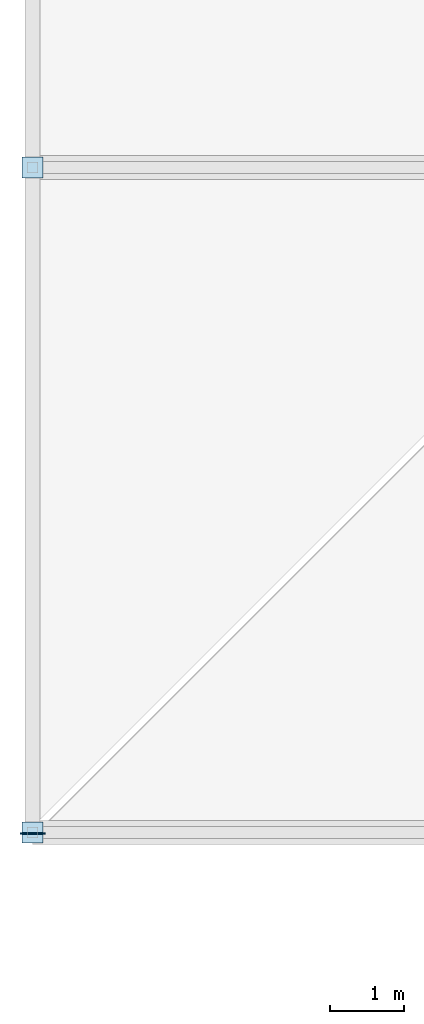
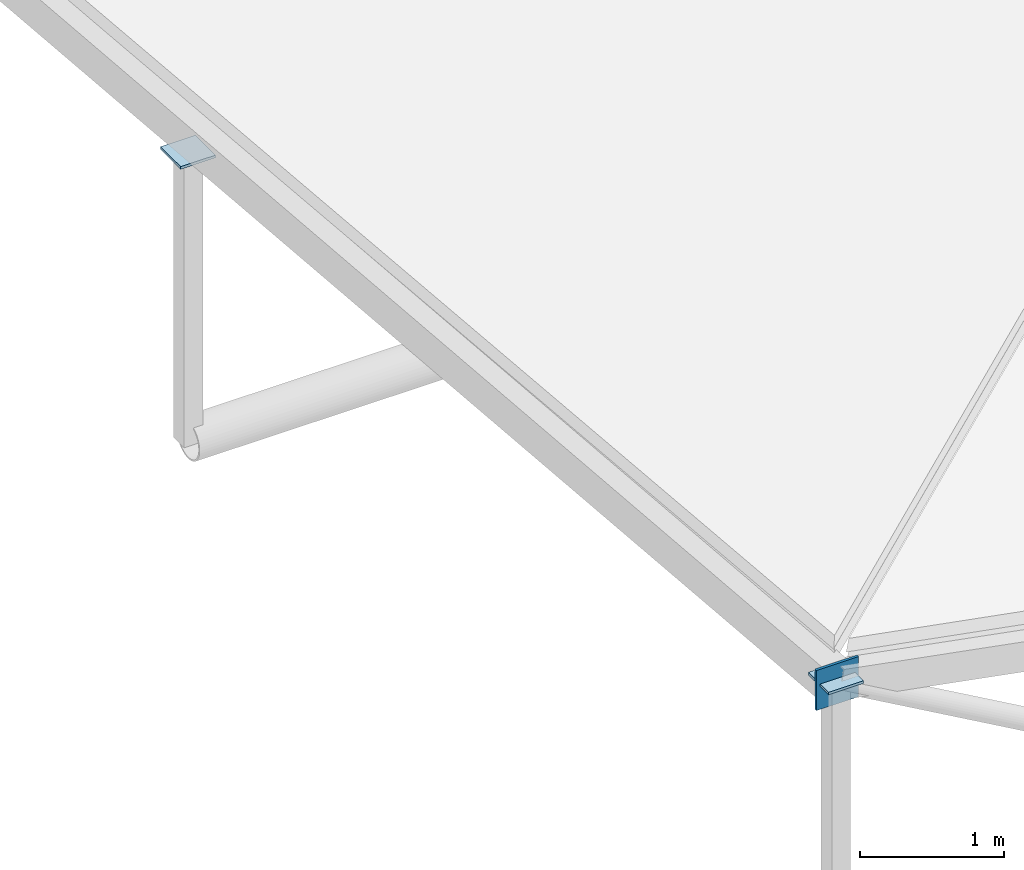
# One storey, part 36 of 44: 3 plates.
"""IFC4 building model written with IfcOpenShell, lengths in metres."""

from ifc_helpers import new_model, si_unit, direction, frame, origin, origin_2d, place, context, subcontext, project, spatial, rectangle, extrude, material, layer, layer_set, type_object, element, save


model = new_model("IFC4")

# Units and contexts
model_context = context("Model", 3, precision=1e-05, world=origin(), true_north=direction((0.0, 1.0)))
body_context = subcontext(model_context, "Body", "Model", "MODEL_VIEW")
ifc_project = project(units=[si_unit("LENGTHUNIT", "METRE"), si_unit("AREAUNIT", "SQUARE_METRE"), si_unit("VOLUMEUNIT", "CUBIC_METRE"), si_unit("PLANEANGLEUNIT", "RADIAN"), si_unit("MASSUNIT", "GRAM", prefix="KILO")], contexts=[model_context])

# Site, building, storey
site_placement = place(None, origin())
site = spatial("IfcSite", under=ifc_project, at=site_placement, CompositionType="ELEMENT")
building_placement = place(site_placement, origin())
building = spatial("IfcBuilding", under=site, at=building_placement, Name="Deido Ridge Mobility Hub", CompositionType="ELEMENT")
storey_placement = place(building_placement, frame((0.0, 0.0, 25.199951171875)))
storey = spatial("IfcBuildingStorey", under=building, at=storey_placement, Name="L06", CompositionType="ELEMENT", Elevation=25.199951171875)

# Plates
ifc_material = material(Name="Steel S355J2 EN 10025-2", Category="steel")
ifc_layer = layer(ifc_material, 0.02197265625, Name="Steel S355J2 EN 10025-2")
ifc_layer_set = layer_set([ifc_layer], Name="Steel S355J2 EN 10025-2")
plate_type = type_object("IfcPlateType", Name="PLT-CAP-22", PredefinedType="USERDEFINED", material=ifc_layer_set)
for number, where, z_axis, x_axis, name in (
    (1, (63.0, 45.0, 3.424072265625), (0.0, 0.0, 1.0), (1.0, 0.0, 0.0), "Hollow member sealed end-cap plate EC2-234"),
    (2, (63.0, 54.0, 2.424072265625), (0.0, 0.0, 1.0), (1.0, 0.0, 0.0), "Hollow member sealed end-cap plate EC2-236"),
):
    element("IfcPlate", number, at=place(storey_placement, frame(where, z_axis=z_axis, x_axis=x_axis)), inside=storey, type_object=plate_type, Name=name, ObjectType="END CAP PLATE", PredefinedType="USERDEFINED", context=body_context, shape_type="SweptSolid", body=[
        extrude(rectangle(XDim=0.280029296875, YDim=0.280029296875, at=origin_2d()), origin(), (0.0, 0.0, 1.0), 0.02197265625),
    ])
plate_placement = place(storey_placement, frame((63.0, 44.988037109375, 3.22998046875), z_axis=(0.0, 0.0, 1.0), x_axis=(1.0, 0.0, 0.0)))
element("IfcPlate", 3, at=plate_placement, inside=storey, type_object=plate_type, Name="Hollow member sealed end-cap plate EC2-244", ObjectType="END CAP PLATE", PredefinedType="USERDEFINED", context=body_context, shape_type="SweptSolid", body=[
    extrude(rectangle(XDim=0.340087890625, YDim=0.02197265625, at=origin_2d()), origin(), (0.0, 0.0, 1.0), 0.340087890625),
])

save(model, "model.ifc")
